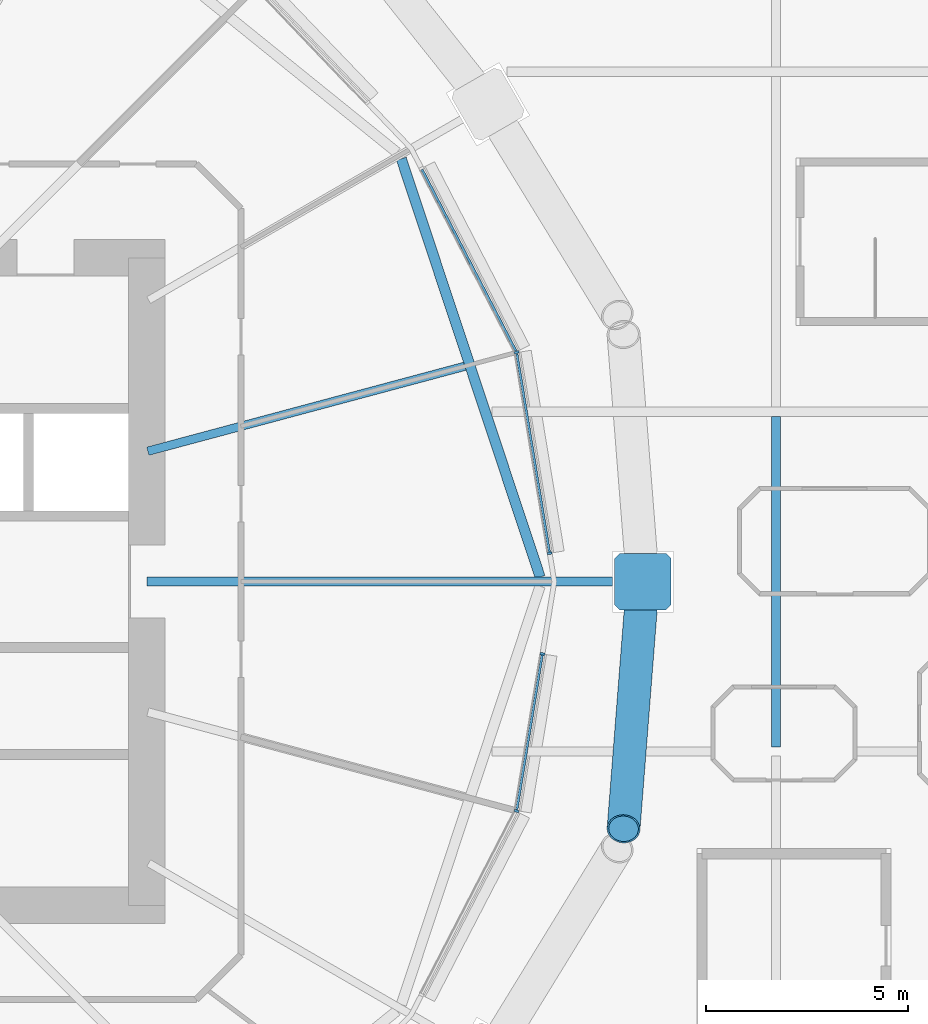
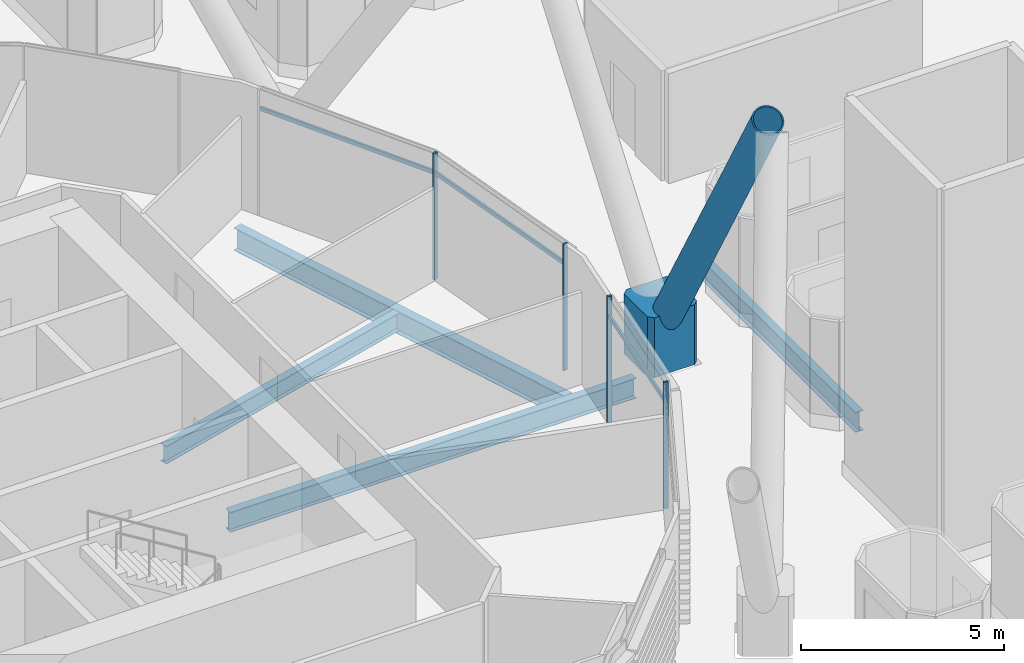
# One storey, part 8 of 47: 9 members, 4 beams, 1 element without a shape of its own.
"""IFC4 building model written with IfcOpenShell, lengths in metres."""

from ifc_helpers import new_model, si_unit, direction, frame, origin, origin_2d, place, context, subcontext, project, spatial, polyline, rectangle, hollow_circle, i_section, outline, extrude, material, material_profile, profile_set, type_object, element, aggregate, save


model = new_model("IFC4")

# Units and contexts
model_context = context("Model", 3, precision=1e-05, world=origin(), true_north=direction((0.0, 1.0)))
body_context = subcontext(model_context, "Body", "Model", "MODEL_VIEW")
ifc_project = project(units=[si_unit("LENGTHUNIT", "METRE"), si_unit("AREAUNIT", "SQUARE_METRE"), si_unit("VOLUMEUNIT", "CUBIC_METRE"), si_unit("PLANEANGLEUNIT", "RADIAN"), si_unit("MASSUNIT", "GRAM", prefix="KILO")], contexts=[model_context])

# Site, building, storey
site_placement = place(None, origin())
site = spatial("IfcSite", under=ifc_project, at=site_placement, CompositionType="ELEMENT")
building_placement = place(site_placement, origin())
building = spatial("IfcBuilding", under=site, at=building_placement, Name="Rimbun Link Towers", CompositionType="ELEMENT")
storey_placement = place(building_placement, frame((0.0, 0.0, 30.0)))
storey = spatial("IfcBuildingStorey", under=building, at=storey_placement, Name="L06", CompositionType="ELEMENT", Elevation=30.0)

# Curtain wall, members
ifc_material_1 = material(Name="Aluminium 6063-T6 and low-iron glass", Category="aluminium")
curtain_wall_type = type_object("IfcCurtainWallType", Name="CW1 unitised vision wall", PredefinedType="NOTDEFINED", material=ifc_material_1)
curtain_wall_placement = place(storey_placement, origin())
curtain_wall = element("IfcCurtainWall", 1, at=curtain_wall_placement, inside=storey, type_object=curtain_wall_type, Name="CW1 L06 T1", PredefinedType="NOTDEFINED")
ifc_material_2 = material(Name="Aluminium 6063-T6", Category="aluminium")
ifc_material_profile_1 = material_profile(ifc_material_2, rectangle(XDim=0.1201171875, YDim=0.06005859375, at=origin_2d()), Name="MULLION 60X120")
ifc_profile_set_1 = profile_set([ifc_material_profile_1], Name="Aluminium 6063-T6")
member_type_1 = type_object("IfcMemberType", Name="CW1 mullion 60X120", PredefinedType="MULLION", material=ifc_profile_set_1)
member_1_placement = place(storey_placement, frame((-10.609375, 5.668212890625, 0.0), z_axis=(0.0, 0.0, 1.0), x_axis=(0.949161416896, 0.314789778545, 0.0)))
member_1 = element("IfcMember", 2, at=member_1_placement, type_object=member_type_1, Name="CW1 mullion", PredefinedType="MULLION", context=body_context, shape_type="SweptSolid", body=[
    extrude(rectangle(XDim=0.1201171875, YDim=0.06005859375, at=origin_2d()), origin(), (0.0, 0.0, 1.0), 3.800048828125),
])
member_2_placement = place(storey_placement, frame((-9.791748046875, 0.700439453125, 0.0), z_axis=(0.0, 0.0, 1.0), x_axis=(0.986747549108, 0.162262978927, 0.0)))
member_2 = element("IfcMember", 3, at=member_2_placement, type_object=member_type_1, Name="CW1 mullion", PredefinedType="MULLION", context=body_context, shape_type="SweptSolid", body=[
    extrude(rectangle(XDim=0.1201171875, YDim=0.06005859375, at=origin_2d()), origin(), (0.0, 0.0, 1.0), 3.800048828125),
])
member_3_placement = place(storey_placement, frame((-10.609375, -5.668212890625, 0.0), z_axis=(0.0, 0.0, 1.0), x_axis=(0.949161416896, -0.314789778545, 0.0)))
member_3 = element("IfcMember", 4, at=member_3_placement, type_object=member_type_1, Name="CW1 mullion", PredefinedType="MULLION", context=body_context, shape_type="SweptSolid", body=[
    extrude(rectangle(XDim=0.1201171875, YDim=0.06005859375, at=origin_2d()), origin(), (0.0, 0.0, 1.0), 3.800048828125),
])
member_4_placement = place(storey_placement, frame((-9.97021484375, -1.785888671875, 0.0), z_axis=(0.0, 0.0, 1.0), x_axis=(0.986747549108, -0.162262978927, 0.0)))
member_4 = element("IfcMember", 5, at=member_4_placement, type_object=member_type_1, Name="CW1 mullion", PredefinedType="MULLION", context=body_context, shape_type="SweptSolid", body=[
    extrude(rectangle(XDim=0.1201171875, YDim=0.06005859375, at=origin_2d()), origin(), (0.0, 0.0, 1.0), 3.800048828125),
])
ifc_material_3 = material(Name="Aluminium 6063-T6", Category="aluminium")
ifc_material_profile_2 = material_profile(ifc_material_3, rectangle(XDim=0.06005859375, YDim=0.1201171875, at=origin_2d()), Name="TRANSOM 60X120")
ifc_profile_set_2 = profile_set([ifc_material_profile_2], Name="Aluminium 6063-T6")
member_type_2 = type_object("IfcMemberType", Name="CW1 transom 60X120", PredefinedType="USERDEFINED", material=ifc_profile_set_2)
member_5_placement = place(storey_placement, frame((-10.604248046875, 5.629150390625, 3.199951171875), z_axis=(0.162261690804, -0.986747760928, 0.0), x_axis=(0.986747760928, 0.162261690804, 0.0)))
member_5 = element("IfcMember", 6, at=member_5_placement, type_object=member_type_2, Name="CW1 transom", ObjectType="TRANSOM", PredefinedType="USERDEFINED", context=body_context, shape_type="SweptSolid", body=[
    extrude(rectangle(XDim=0.06005859375, YDim=0.1201171875, at=origin_2d()), origin(), (0.0, 0.0, 1.0), 4.96533203125),
])
member_6_placement = place(storey_placement, frame((-12.947265625, 10.183837890625, 3.199951171875), z_axis=(0.459538755132, -0.888157718275, 0.0), x_axis=(0.888157718275, 0.459538755132, 0.0)))
member_6 = element("IfcMember", 7, at=member_6_placement, type_object=member_type_2, Name="CW1 transom", ObjectType="TRANSOM", PredefinedType="USERDEFINED", context=body_context, shape_type="SweptSolid", body=[
    extrude(rectangle(XDim=0.06005859375, YDim=0.1201171875, at=origin_2d()), origin(), (0.0, 0.0, 1.0), 5.04541015625),
])
member_7_placement = place(storey_placement, frame((-9.97705078125, -1.815185546875, 3.199951171875), z_axis=(-0.162268101995, -0.986746706645, 0.0), x_axis=(0.986746706645, -0.162268101995, 0.0)))
member_7 = element("IfcMember", 8, at=member_7_placement, type_object=member_type_2, Name="CW1 transom", ObjectType="TRANSOM", PredefinedType="USERDEFINED", context=body_context, shape_type="SweptSolid", body=[
    extrude(rectangle(XDim=0.06005859375, YDim=0.1201171875, at=origin_2d()), origin(), (0.0, 0.0, 1.0), 3.865234375),
])
aggregate(curtain_wall, [member_1, member_2, member_3, member_4, member_5, member_6, member_7])

# Members
ifc_material_4 = material(Name="Steel S460NH", Category="steel")
ifc_material_profile_3 = material_profile(ifc_material_4, hollow_circle(Radius=0.406494140625, WallThickness=0.0400390625, at=origin_2d()), Name="Diagrid diagonal CHS 813x40")
ifc_profile_set_3 = profile_set([ifc_material_profile_3], Name="Steel S460NH")
member_type_3 = type_object("IfcMemberType", Name="Diagrid diagonal CHS 813x40", PredefinedType="BRACE", material=ifc_profile_set_3)
member_8_placement = place(storey_placement, frame((-7.507568359375, -0.259033203125, 1.3271484375), z_axis=(-0.040588951121, -0.518098391003, 0.854357416008), x_axis=(0.996945306323, -0.078102856545, 0.0)))
element("IfcMember", 9, at=member_8_placement, inside=storey, type_object=member_type_3, Name="Diagrid diagonal T1 L06-L09 00a", PredefinedType="BRACE", context=body_context, shape_type="SweptSolid", body=[
    extrude(hollow_circle(Radius=0.406494140625, WallThickness=0.0400390625, at=origin_2d()), origin(), (0.0, 0.0, 1.0), 11.2900390625),
])
ifc_material_5 = material(Name="Cast steel G20Mn5+QT, Rp0.2 300 MPa", Category="steel")
ifc_material_profile_4 = material_profile(ifc_material_5, outline(polyline([(0.699951171875, -0.570068359375), (0.699951171875, 0.570068359375), (0.570068359375, 0.699951171875), (-0.570068359375, 0.699951171875), (-0.699951171875, 0.570068359375), (-0.699951171875, -0.570068359375), (-0.570068359375, -0.699951171875), (0.570068359375, -0.699951171875), (0.699951171875, -0.570068359375)])), Name="NODE 1400x1400")
ifc_profile_set_4 = profile_set([ifc_material_profile_4], Name="Cast steel G20Mn5+QT, Rp0.2 300 MPa")
member_type_4 = type_object("IfcMemberType", Name="Diagrid node cast 1400", PredefinedType="USERDEFINED", material=ifc_profile_set_4)
member_9_placement = place(storey_placement, frame((-7.4873046875, 0.0, 0.0), z_axis=(0.0, 0.0, 1.0), x_axis=(1.0, 0.0, 0.0)))
element("IfcMember", 10, at=member_9_placement, inside=storey, type_object=member_type_4, Name="Diagrid node L06 00", ObjectType="Diagrid node", PredefinedType="USERDEFINED", context=body_context, shape_type="SweptSolid", body=[
    extrude(outline(polyline([(0.699951171875, -0.570068359375), (0.699951171875, 0.570068359375), (0.570068359375, 0.699951171875), (-0.570068359375, 0.699951171875), (-0.699951171875, 0.570068359375), (-0.699951171875, -0.570068359375), (-0.570068359375, -0.699951171875), (0.570068359375, -0.699951171875), (0.699951171875, -0.570068359375)])), origin(), (0.0, 0.0, 1.0), 1.800048828125),
])

# Beams
ifc_material_6 = material(Name="Steel S355J2", Category="steel")
ifc_material_profile_5 = material_profile(ifc_material_6, i_section(OverallWidth=0.209228515625, OverallDepth=0.533203125, WebThickness=0.010009765625, FlangeThickness=0.015625, at=origin_2d()), Name="UB 533x210x92")
ifc_profile_set_5 = profile_set([ifc_material_profile_5], Name="Steel S355J2")
beam_type_1 = type_object("IfcBeamType", Name="UB 533x210x92", PredefinedType="BEAM", material=ifc_profile_set_5)
beam_1_placement = place(storey_placement, frame((-19.721923828125, 3.222900390625, -0.56640625), z_axis=(0.965927890386, 0.258811341663, 0.0), x_axis=(-0.258811341663, 0.965927890386, 0.0)))
element("IfcBeam", 11, at=beam_1_placement, inside=storey, type_object=beam_type_1, Name="Radial beam T1 L06 01", PredefinedType="BEAM", context=body_context, shape_type="SweptSolid", body=[
    extrude(i_section(OverallWidth=0.209228515625, OverallDepth=0.533203125, WebThickness=0.010009765625, FlangeThickness=0.015625, at=origin_2d()), origin(), (0.0, 0.0, 1.0), 8.10791015625),
])
ifc_material_7 = material(Name="Steel S355J2", Category="steel")
ifc_material_profile_6 = material_profile(ifc_material_7, i_section(OverallWidth=0.2275390625, OverallDepth=0.6025390625, WebThickness=0.010498046875, FlangeThickness=0.014892578125, at=origin_2d()), Name="UB 610x229x101")
ifc_profile_set_6 = profile_set([ifc_material_profile_6], Name="Steel S355J2")
beam_type_2 = type_object("IfcBeamType", Name="UB 610x229x101", PredefinedType="BEAM", material=ifc_profile_set_6)
beam_2_placement = place(storey_placement, frame((-19.7490234375, 0.0, -0.601318359375), z_axis=(1.0, 0.0, 0.0), x_axis=(0.0, 1.0, 0.0)))
element("IfcBeam", 12, at=beam_2_placement, inside=storey, type_object=beam_type_2, Name="Radial beam T1 L06 00", PredefinedType="BEAM", context=body_context, shape_type="SweptSolid", body=[
    extrude(i_section(OverallWidth=0.2275390625, OverallDepth=0.6025390625, WebThickness=0.010498046875, FlangeThickness=0.014892578125, at=origin_2d()), origin(), (0.0, 0.0, 1.0), 11.51171875),
])
beam_3_placement = place(storey_placement, frame((-4.199951171875, -4.086181640625, -0.601318359375), z_axis=(0.0, 1.0, 0.0), x_axis=(-1.0, 0.0, 0.0)))
element("IfcBeam", 13, at=beam_3_placement, inside=storey, type_object=beam_type_2, Name="Grid beam L06 -4.2", PredefinedType="BEAM", context=body_context, shape_type="SweptSolid", body=[
    extrude(i_section(OverallWidth=0.2275390625, OverallDepth=0.6025390625, WebThickness=0.010498046875, FlangeThickness=0.014892578125, at=origin_2d()), origin(), (0.0, 0.0, 1.0), 8.17236328125),
])
ifc_material_8 = material(Name="Steel S355J2", Category="steel")
ifc_material_profile_7 = material_profile(ifc_material_8, i_section(OverallWidth=0.253662109375, OverallDepth=0.68359375, WebThickness=0.012451171875, FlangeThickness=0.01904296875, at=origin_2d()), Name="UB 686x254x140")
ifc_profile_set_7 = profile_set([ifc_material_profile_7], Name="Steel S355J2")
beam_type_3 = type_object("IfcBeamType", Name="UB 686x254x140", PredefinedType="BEAM", material=ifc_profile_set_7)
beam_4_placement = place(storey_placement, frame((-10.02880859375, 0.11474609375, -0.641845703125), z_axis=(-0.314841882336, 0.949144135064, 0.0), x_axis=(-0.949144135064, -0.314841882336, 0.0)))
element("IfcBeam", 14, at=beam_4_placement, inside=storey, type_object=beam_type_3, Name="Edge beam T1 L06 00-02", PredefinedType="BEAM", context=body_context, shape_type="SweptSolid", body=[
    extrude(i_section(OverallWidth=0.253662109375, OverallDepth=0.68359375, WebThickness=0.012451171875, FlangeThickness=0.01904296875, at=origin_2d()), origin(), (0.0, 0.0, 1.0), 10.889404296875),
])

save(model, "model.ifc")
